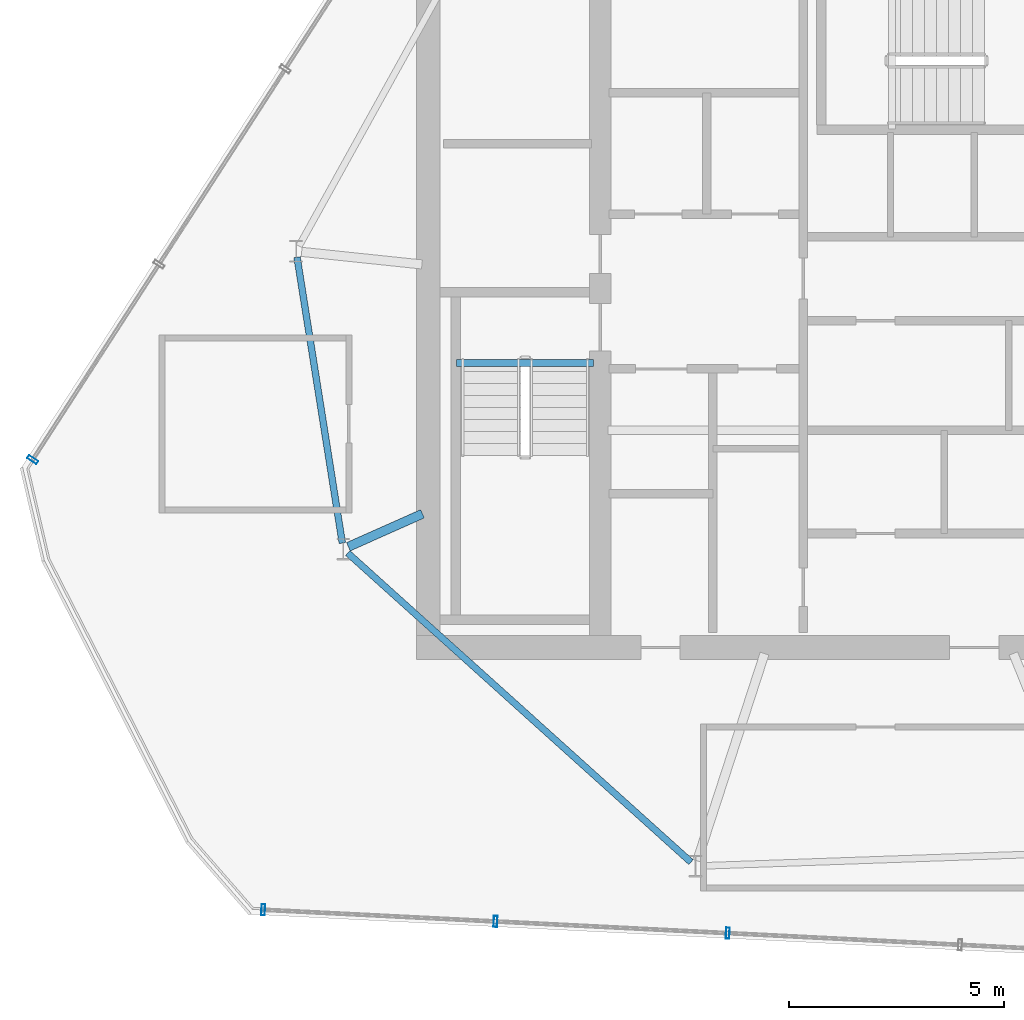
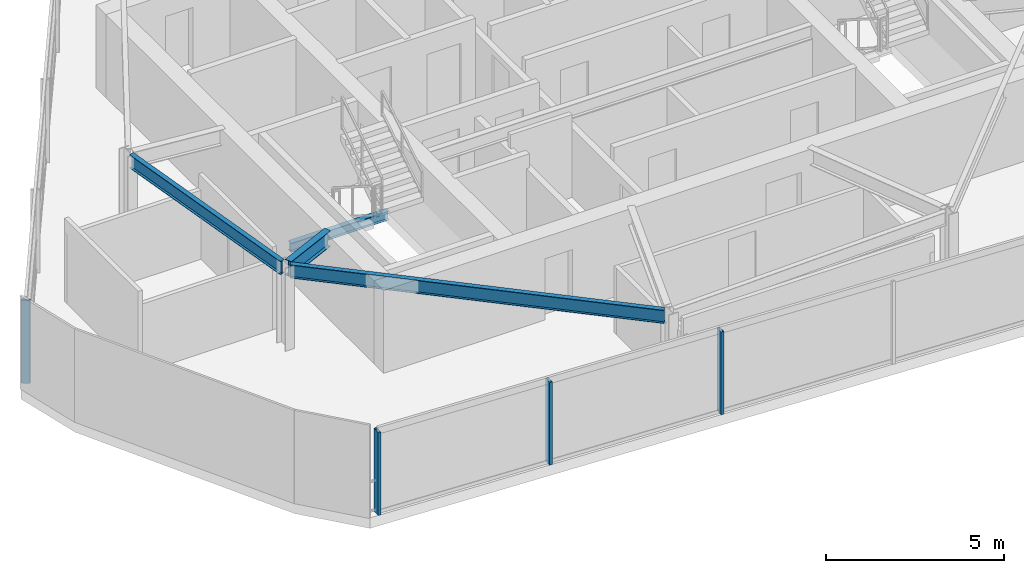
# One storey, part 2 of 16: 4 beams, 4 members, 2 elements without a shape of their own.
"""IFC4 building model written with IfcOpenShell, lengths in metres."""

from ifc_helpers import new_model, si_unit, direction, frame, origin, origin_2d, place, context, subcontext, project, spatial, hollow_rectangle, i_section, extrude, material, layer, layer_set, material_profile, profile_set, type_object, element, aggregate, save


model = new_model("IFC4")

# Units and contexts
model_context = context("Model", 3, precision=1e-05, world=origin(), true_north=direction((0.0, 1.0)))
body_context = subcontext(model_context, "Body", "Model", "MODEL_VIEW")
ifc_project = project(units=[si_unit("LENGTHUNIT", "METRE"), si_unit("AREAUNIT", "SQUARE_METRE"), si_unit("VOLUMEUNIT", "CUBIC_METRE"), si_unit("PLANEANGLEUNIT", "RADIAN"), si_unit("MASSUNIT", "GRAM", prefix="KILO")], contexts=[model_context])

# Site, building, storey
site_placement = place(None, origin())
site = spatial("IfcSite", under=ifc_project, at=site_placement, CompositionType="ELEMENT")
building_placement = place(site_placement, origin())
building = spatial("IfcBuilding", under=site, at=building_placement, Name="Qarnah Convention Tower", CompositionType="ELEMENT")
storey_placement = place(building_placement, frame((0.0, 0.0, 283.5)))
storey = spatial("IfcBuildingStorey", under=building, at=storey_placement, Name="L76", CompositionType="ELEMENT", Elevation=283.5)

# Beams
ifc_material_1 = material(Name="Structural steel S355JR", Category="steel")
ifc_material_profile_1 = material_profile(ifc_material_1, i_section(OverallWidth=0.166015625, OverallDepth=0.31201171875, WebThickness=0.007080078125, FlangeThickness=0.010986328125, at=origin_2d()), Name="W310X45")
ifc_profile_set_1 = profile_set([ifc_material_profile_1], Name="Structural steel S355JR")
beam_type_1 = type_object("IfcBeamType", Name="BM-JST-W310", PredefinedType="JOIST", material=ifc_profile_set_1)
beam_1_placement = place(storey_placement, frame((27.4599609375, 25.217041015625, -0.156005859375), z_axis=(1.0, 0.0, 0.0), x_axis=(0.0, 1.0, 0.0)))
element("IfcBeam", 1, at=beam_1_placement, inside=storey, type_object=beam_type_1, Name="L76 stair landing trimmer beam BM-L76-ST1-TRM", PredefinedType="BEAM", context=body_context, shape_type="SweptSolid", body=[
    extrude(i_section(OverallWidth=0.166015625, OverallDepth=0.31201171875, WebThickness=0.007080078125, FlangeThickness=0.010986328125, at=origin_2d()), origin(), (0.0, 0.0, 1.0), 3.179931640625),
])
ifc_material_profile_2 = material_profile(ifc_material_1, i_section(OverallWidth=0.2119140625, OverallDepth=0.5400390625, WebThickness=0.011962890625, FlangeThickness=0.01904296875, at=origin_2d()), Name="W530X109")
ifc_profile_set_2 = profile_set([ifc_material_profile_2], Name="Structural steel S355JR")
beam_type_2 = type_object("IfcBeamType", Name="BM-RAD-W530A", PredefinedType="BEAM", material=ifc_profile_set_2)
beam_2_placement = place(storey_placement, frame((26.6630859375, 21.708984375, 2.570068359375), z_axis=(-0.913565851785, -0.406690833991, 0.0), x_axis=(0.406690833991, -0.913565851785, 0.0)))
element("IfcBeam", 2, at=beam_2_placement, inside=storey, type_object=beam_type_2, Name="L76 beam BM-L76-RAD-06", PredefinedType="BEAM", context=body_context, shape_type="SweptSolid", body=[
    extrude(i_section(OverallWidth=0.2119140625, OverallDepth=0.5400390625, WebThickness=0.011962890625, FlangeThickness=0.01904296875, at=origin_2d()), origin(), (0.0, 0.0, 1.0), 1.88623046875),
])
ifc_material_profile_3 = material_profile(ifc_material_1, i_section(OverallWidth=0.154052734375, OverallDepth=0.4599609375, WebThickness=0.009033203125, FlangeThickness=0.014892578125, at=origin_2d()), Name="W460X68")
ifc_profile_set_3 = profile_set([ifc_material_profile_3], Name="Structural steel S355JR")
beam_type_3 = type_object("IfcBeamType", Name="BM-SPN-W460B", PredefinedType="SPANDREL", material=ifc_profile_set_3)
beam_3_placement = place(storey_placement, frame((23.74609375, 27.677978515625, 2.610107421875), z_axis=(0.156374021529, -0.987697912011, 0.0), x_axis=(0.987697912011, 0.156374021529, 0.0)))
element("IfcBeam", 3, at=beam_3_placement, inside=storey, type_object=beam_type_3, Name="L76 spandrel BM-L76-SPN-05", PredefinedType="SPANDREL", context=body_context, shape_type="SweptSolid", body=[
    extrude(i_section(OverallWidth=0.154052734375, OverallDepth=0.4599609375, WebThickness=0.009033203125, FlangeThickness=0.014892578125, at=origin_2d()), origin(), (0.0, 0.0, 1.0), 6.733642578125),
])
beam_4_placement = place(storey_placement, frame((24.925048828125, 20.794921875, 2.610107421875), z_axis=(0.743178874011, -0.669092789696, 0.0), x_axis=(0.669092789696, 0.743178874011, 0.0)))
element("IfcBeam", 4, at=beam_4_placement, inside=storey, type_object=beam_type_3, Name="L76 spandrel BM-L76-SPN-06", PredefinedType="SPANDREL", context=body_context, shape_type="SweptSolid", body=[
    extrude(i_section(OverallWidth=0.154052734375, OverallDepth=0.4599609375, WebThickness=0.009033203125, FlangeThickness=0.014892578125, at=origin_2d()), origin(), (0.0, 0.0, 1.0), 10.742919921875),
])

# Curtain wall, members
ifc_material_2 = material(Name="Tempered Low-E dark glass", Category="glass")
ifc_layer = layer(ifc_material_2, 0.177978515625)
ifc_layer_set = layer_set([ifc_layer], Name="Tempered Low-E dark glass")
curtain_wall_type = type_object("IfcCurtainWallType", Name="CWS-06", PredefinedType="NOTDEFINED", material=ifc_layer_set)
curtain_wall_1_placement = place(storey_placement, origin())
curtain_wall_1 = element("IfcCurtainWall", 5, at=curtain_wall_1_placement, inside=storey, type_object=curtain_wall_type, Name="L76 unitised curtain wall CW-L76-F2", PredefinedType="NOTDEFINED")
ifc_material_3 = material(Name="Black anodised aluminium", Category="aluminium")
ifc_material_profile_4 = material_profile(ifc_material_3, hollow_rectangle(XDim=0.0849609375, YDim=0.260009765625, WallThickness=0.006103515625, at=origin_2d()), Name="MUL-85X260")
ifc_profile_set_4 = profile_set([ifc_material_profile_4], Name="Black anodised aluminium")
member_type = type_object("IfcMemberType", Name="MUL-T6", PredefinedType="MULLION", material=ifc_profile_set_4)
member_1_placement = place(storey_placement, frame((33.764892578125, 11.954345703125, 0.0), z_axis=(0.0, 0.0, 1.0), x_axis=(-0.99873708025, 0.050241860374, 0.0)))
member_1 = element("IfcMember", 6, at=member_1_placement, type_object=member_type, Name="CW-L76-F2 mullion 4", PredefinedType="MULLION", context=body_context, shape_type="SweptSolid", body=[
    extrude(hollow_rectangle(XDim=0.0849609375, YDim=0.260009765625, WallThickness=0.006103515625, at=origin_2d()), origin(), (0.0, 0.0, 1.0), 2.840087890625),
])
member_2_placement = place(storey_placement, frame((28.362060546875, 12.226318359375, 0.0), z_axis=(0.0, 0.0, 1.0), x_axis=(-0.99873708025, 0.050241860374, 0.0)))
member_2 = element("IfcMember", 7, at=member_2_placement, type_object=member_type, Name="CW-L76-F2 mullion 5", PredefinedType="MULLION", context=body_context, shape_type="SweptSolid", body=[
    extrude(hollow_rectangle(XDim=0.0849609375, YDim=0.260009765625, WallThickness=0.006103515625, at=origin_2d()), origin(), (0.0, 0.0, 1.0), 2.840087890625),
])
member_3_placement = place(storey_placement, frame((22.958984375, 12.498046875, 0.0), z_axis=(0.0, 0.0, 1.0), x_axis=(-0.99873708025, 0.050241860374, 0.0)))
member_3 = element("IfcMember", 8, at=member_3_placement, type_object=member_type, Name="CW-L76-F2 mullion 6", PredefinedType="MULLION", context=body_context, shape_type="SweptSolid", body=[
    extrude(hollow_rectangle(XDim=0.0849609375, YDim=0.260009765625, WallThickness=0.006103515625, at=origin_2d()), origin(), (0.0, 0.0, 1.0), 2.840087890625),
])
aggregate(curtain_wall_1, [member_1, member_2, member_3])

# Curtain wall, member
curtain_wall_2_placement = place(storey_placement, origin())
curtain_wall_2 = element("IfcCurtainWall", 9, at=curtain_wall_2_placement, inside=storey, type_object=curtain_wall_type, Name="L76 unitised curtain wall CW-L76-F3", PredefinedType="NOTDEFINED")
member_4_placement = place(storey_placement, frame((17.596923828125, 22.968017578125, 0.0), z_axis=(0.0, 0.0, 1.0), x_axis=(0.542871059337, 0.839816058988, 0.0)))
member_4 = element("IfcMember", 10, at=member_4_placement, type_object=member_type, Name="CW-L76-F3 mullion 1", PredefinedType="MULLION", context=body_context, shape_type="SweptSolid", body=[
    extrude(hollow_rectangle(XDim=0.0849609375, YDim=0.260009765625, WallThickness=0.006103515625, at=origin_2d()), origin(), (0.0, 0.0, 1.0), 2.840087890625),
])
aggregate(curtain_wall_2, [member_4])

save(model, "model.ifc")
